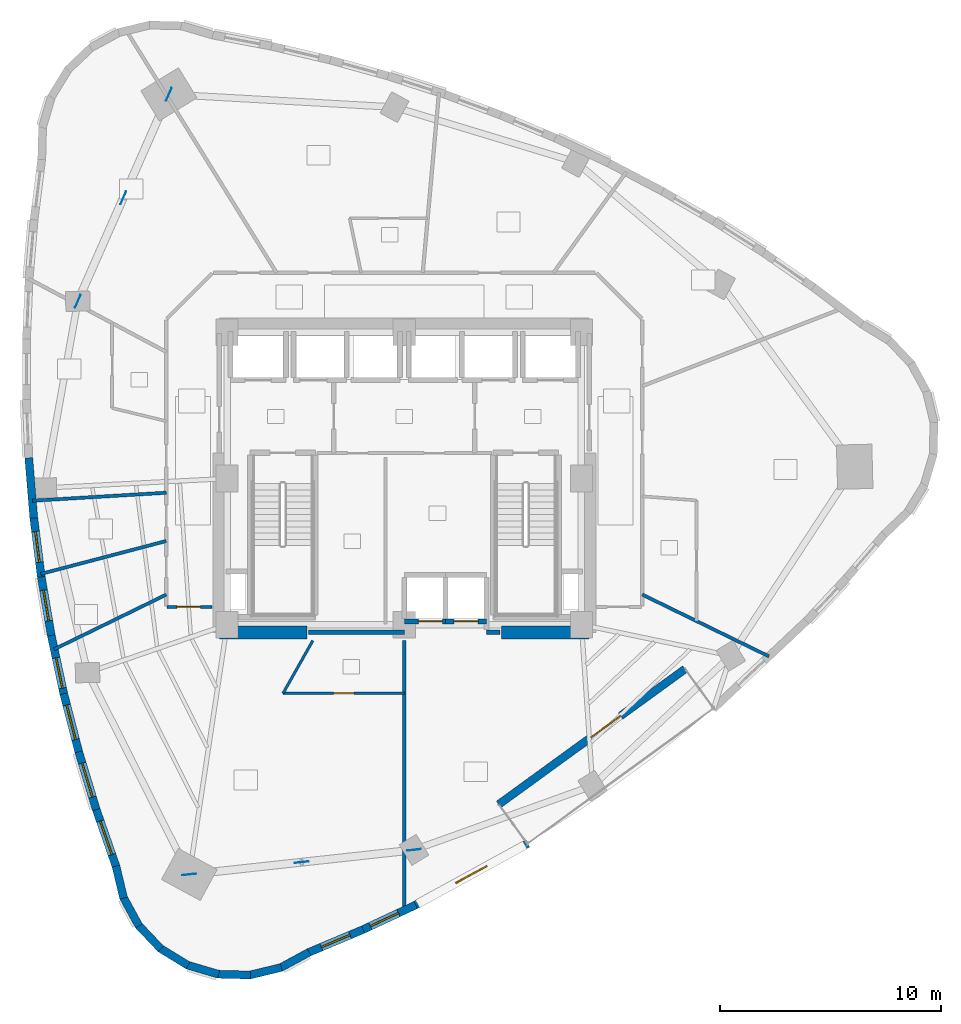
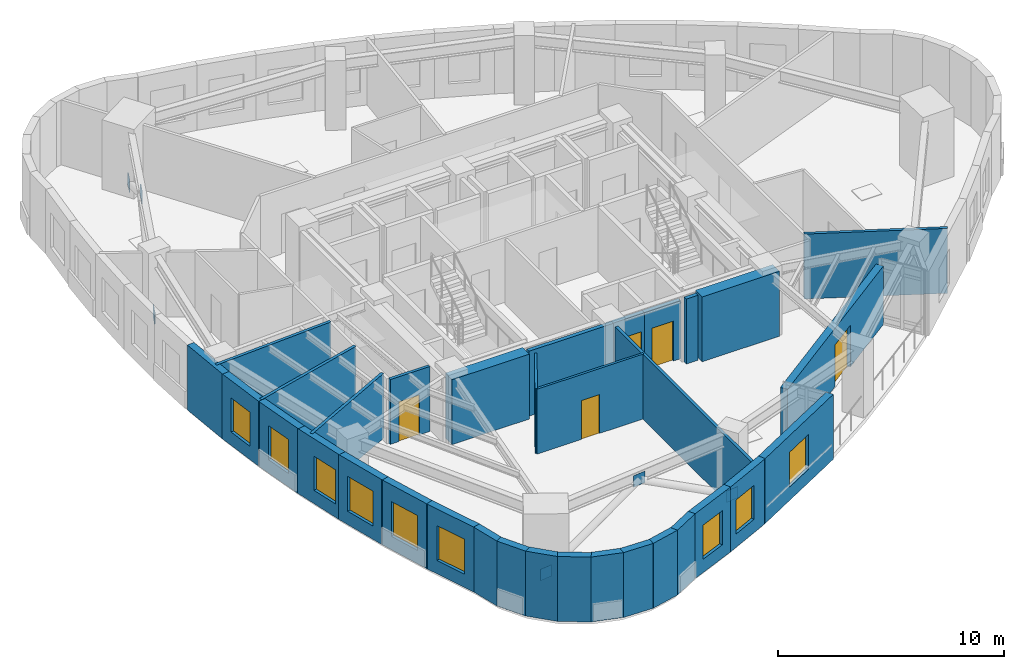
# One storey, part 5 of 12: 33 walls, 9 windows, 6 plates, 5 doors, 14 openings.
"""IFC4 building model written with IfcOpenShell, lengths in metres."""

import ifcopenshell
import ifcopenshell.guid

model = None  # the IFC model being written
_history = None  # IfcOwnerHistory: only IFC2X3 demands one
_inside = {}  # id of a spatial element -> (the spatial element, [elements in it])
_under = {}  # id of a project, library or spatial element -> (it, [spatial elements below it])
_declared = {}  # id of a project -> (the project, [libraries it declares])
_typed = {}  # id of a type object -> (the type object, [elements of that type])
_made_of = {}  # id of a material, layer set ... -> (it, [elements and type objects made of it])


def new_model(schema):
    """Start an empty IFC model of exactly this schema.

    Asked for "IFC4X3", IfcOpenShell would pick the latest addendum, in which some entities
    have other attributes; the version numbers below select the first issue.
    IFC2X3 requires an IfcOwnerHistory on every rooted entity: one is made here for all.
    """
    global model, _history
    if schema == "IFC4X3":
        model = ifcopenshell.file(schema_version=(4, 3, 0, 0))
    else:
        model = ifcopenshell.file(schema=schema)
    _inside.clear()
    _under.clear()
    _declared.clear()
    _typed.clear()
    _made_of.clear()
    _history = None
    if model.schema == "IFC2X3":
        org = make("IfcOrganization", Name="unknown")
        user = make(
            "IfcPersonAndOrganization",
            ThePerson=make("IfcPerson", FamilyName="unknown"),
            TheOrganization=org,
        )
        app = make(
            "IfcApplication",
            ApplicationDeveloper=org,
            Version="unknown",
            ApplicationFullName="unknown",
            ApplicationIdentifier="unknown",
        )
        _history = make(
            "IfcOwnerHistory",
            OwningUser=user,
            OwningApplication=app,
            ChangeAction="ADDED",
            CreationDate=0,
        )
    return model


def make(cls, **values):
    """One entity of the class cls with the attributes given. An attribute that is None is left unset."""
    return model.create_entity(
        cls, **{name: value for name, value in values.items() if value is not None}
    )


def rooted(cls, **values):
    """An entity with a GlobalId (a new one), such as an element, a storey or a relation."""
    return make(cls, GlobalId=ifcopenshell.guid.new(), OwnerHistory=_history, **values)


def si_unit(unit_type, name, prefix=None):
    """IfcSIUnit, for example si_unit("LENGTHUNIT", "METRE", prefix="MILLI")."""
    return make("IfcSIUnit", UnitType=unit_type, Prefix=prefix, Name=name)


def assignment(units):
    """IfcUnitAssignment: the units of a project."""
    return None if units is None else make("IfcUnitAssignment", Units=units)


def point(xyz):
    """IfcCartesianPoint."""
    return None if xyz is None else make("IfcCartesianPoint", Coordinates=xyz)


def direction(xyz):
    """IfcDirection."""
    return None if xyz is None else make("IfcDirection", DirectionRatios=xyz)


def frame(location, z_axis=None, x_axis=None):
    """IfcAxis2Placement3D, a coordinate frame: its origin and axes. An axis left out is left unset."""
    return make(
        "IfcAxis2Placement3D",
        Location=point(location),
        Axis=direction(z_axis),
        RefDirection=direction(x_axis),
    )


def frame_2d(location, x_axis=None):
    """IfcAxis2Placement2D, a coordinate frame in the plane: its origin and x axis."""
    return make(
        "IfcAxis2Placement2D", Location=point(location), RefDirection=direction(x_axis)
    )


def origin():
    """The frame at (0, 0, 0) with its axes left unset."""
    return frame((0.0, 0.0, 0.0))


def origin_2d():
    """The frame at (0, 0) in the plane with its x axis left unset."""
    return frame_2d((0.0, 0.0))


def place(relative_to, where):
    """IfcLocalPlacement: puts the frame where relative to a parent placement (None: the world)."""
    return make(
        "IfcLocalPlacement", PlacementRelTo=relative_to, RelativePlacement=where
    )


def context(
    kind, dimensions, precision=None, world=None, true_north=None, identifier=None
):
    """IfcGeometricRepresentationContext, for example the 3D "Model" context."""
    return make(
        "IfcGeometricRepresentationContext",
        ContextIdentifier=identifier,
        ContextType=kind,
        CoordinateSpaceDimension=dimensions,
        Precision=precision,
        WorldCoordinateSystem=world,
        TrueNorth=true_north,
    )


def subcontext(parent, identifier, kind, view, scale=None):
    """IfcGeometricRepresentationSubContext, for example "Body" below "Model"."""
    return make(
        "IfcGeometricRepresentationSubContext",
        ContextIdentifier=identifier,
        ContextType=kind,
        ParentContext=parent,
        TargetScale=scale,
        TargetView=view,
    )


def project(units=None, contexts=None):
    """IfcProject with its units and contexts."""
    return rooted(
        "IfcProject",
        Name="project",
        RepresentationContexts=contexts,
        UnitsInContext=assignment(units),
    )


def spatial(cls, under=None, at=None, **own):
    """A site, building, storey or space (cls), placed at a placement, below another one or the project."""
    s = rooted(cls, ObjectPlacement=at, **own)
    if under is not None:
        _under.setdefault(under.id(), (under, []))[1].append(s)
    return s


def profile(cls, at=None, kind="AREA", **sizes):
    """A parametric profile (cls). Its sizes go by their IFC names, for example OverallWidth=200.0."""
    return make(cls, ProfileType=kind, Position=at, **sizes)


def rectangle(**sizes):
    """IfcRectangleProfileDef."""
    return profile("IfcRectangleProfileDef", **sizes)


def extrude(swept, where, along, depth):
    """IfcExtrudedAreaSolid: the profile swept, set in the frame where, extruded along a direction by depth."""
    return make(
        "IfcExtrudedAreaSolid",
        SweptArea=swept,
        Position=where,
        ExtrudedDirection=direction(along),
        Depth=depth,
    )


def shape(context_of_items, identifier, shape_type, items):
    """IfcShapeRepresentation: the items that make up one representation, for example the "Body"."""
    return make(
        "IfcShapeRepresentation",
        ContextOfItems=context_of_items,
        RepresentationIdentifier=identifier,
        RepresentationType=shape_type,
        Items=items,
    )


def material(Name=None, Category=None):
    """IfcMaterial."""
    return make("IfcMaterial", Name=Name, Category=Category)


def layer(
    of_material, thickness, ventilated=None, Name=None, Category=None, Priority=None
):
    """IfcMaterialLayer: one layer of a wall or slab, of a material (None: an air gap)."""
    return make(
        "IfcMaterialLayer",
        Material=of_material,
        LayerThickness=thickness,
        IsVentilated=ventilated,
        Name=Name,
        Category=Category,
        Priority=Priority,
    )


def layer_set(layers, Name=None):
    """IfcMaterialLayerSet."""
    return make("IfcMaterialLayerSet", MaterialLayers=layers, LayerSetName=Name)


def made_of(thing, what):
    """Note that an element or type object is made of a material, layer set ...; save() writes the relation."""
    if what is not None:
        _made_of.setdefault(what.id(), (what, []))[1].append(thing)
    return thing


def type_object(cls, material=None, **own):
    """A type object (cls), such as IfcWallType, which elements share."""
    return made_of(rooted(cls, **own), material)


def element(
    cls,
    number,
    at=None,
    inside=None,
    cuts=None,
    type_object=None,
    material=None,
    context=None,
    identifier="Body",
    shape_type=None,
    held_by="IfcProductDefinitionShape",
    body=None,
    shapes=None,
    **own,
):
    """One element of the class cls, such as IfcWall. Its Tag is "e" and its number.

    at: its placement. inside: the storey or other place that contains it. cuts: it is an
    opening in that element (IfcRelVoidsElement). A single representation is given by context,
    identifier, shape_type and body (its items); several are given by shapes. held_by: the class
    of the entity that holds the representations. save() writes the other relations.
    """
    e = rooted(cls, Tag="e%d" % number, ObjectPlacement=at, **own)
    if body is not None:
        shapes = [shape(context, identifier, shape_type, body)]
    if shapes is not None:
        e.Representation = make(held_by, Representations=shapes)
    if inside is not None:
        _inside.setdefault(inside.id(), (inside, []))[1].append(e)
    if cuts is not None:
        rooted(
            "IfcRelVoidsElement", RelatingBuildingElement=cuts, RelatedOpeningElement=e
        )
    if type_object is not None:
        _typed.setdefault(type_object.id(), (type_object, []))[1].append(e)
    return made_of(e, material)


def fill(opening, filler):
    """IfcRelFillsElement: the door or window that sits in an opening."""
    return rooted(
        "IfcRelFillsElement",
        RelatingOpeningElement=opening,
        RelatedBuildingElement=filler,
    )


def aggregate(whole, parts):
    """IfcRelAggregates: a whole, such as a stair, and the parts it consists of."""
    return rooted("IfcRelAggregates", RelatingObject=whole, RelatedObjects=parts)


def save(model, path):
    """Write the relations noted so far, then the file.

    IfcRelAggregates (storeys below a building ...), IfcRelContainedInSpatialStructure (elements
    in a storey), IfcRelDefinesByType, IfcRelAssociatesMaterial and IfcRelDeclares: one each for
    every whole, place, type object, material and project.
    """
    for whole, parts in _under.values():
        aggregate(whole, parts)
    for where, things in _inside.values():
        rooted(
            "IfcRelContainedInSpatialStructure",
            RelatedElements=things,
            RelatingStructure=where,
        )
    for kind, things in _typed.values():
        rooted("IfcRelDefinesByType", RelatedObjects=things, RelatingType=kind)
    for what, things in _made_of.values():
        rooted("IfcRelAssociatesMaterial", RelatedObjects=things, RelatingMaterial=what)
    for by, libraries in _declared.values():
        rooted("IfcRelDeclares", RelatingContext=by, RelatedDefinitions=libraries)
    model.write(path)


model = new_model("IFC4")

# Units and contexts
model_context = context("Model", 3, precision=1e-05, world=origin(), true_north=direction((0.0, 1.0)))
body_context = subcontext(model_context, "Body", "Model", "MODEL_VIEW")
ifc_project = project(units=[si_unit("LENGTHUNIT", "METRE"), si_unit("AREAUNIT", "SQUARE_METRE"), si_unit("VOLUMEUNIT", "CUBIC_METRE"), si_unit("PLANEANGLEUNIT", "RADIAN"), si_unit("MASSUNIT", "GRAM", prefix="KILO")], contexts=[model_context])

# Site, building, storey
site_placement = place(None, origin())
site = spatial("IfcSite", under=ifc_project, at=site_placement, CompositionType="ELEMENT")
building_placement = place(site_placement, origin())
building = spatial("IfcBuilding", under=site, at=building_placement, Name="Ndelora Gate Hotel", CompositionType="ELEMENT")
storey_placement = place(building_placement, frame((0.0, 0.0, 142.25)))
storey = spatial("IfcBuildingStorey", under=building, at=storey_placement, Name="L35", CompositionType="ELEMENT", Elevation=142.25)

# Plates
ifc_material_1 = material(Name="Steel S355", Category="steel")
ifc_layer_1 = layer(ifc_material_1, 0.02001953125)
ifc_layer_set_1 = layer_set([ifc_layer_1], Name="Steel S355")
plate_type = type_object("IfcPlateType", Name="PL-NODE-VN1", PredefinedType="USERDEFINED", material=ifc_layer_set_1)
for number, where, z_axis, x_axis, name in (
    (1, (-10.63330078125, 17.351806640625, -0.2900390625), (0.0, 0.0, 1.0), (0.402906435714, 0.915241172621, 0.0), "Node gusset cap plate VN1"),
    (2, (-14.74658203125, 8.006591796875, -0.2900390625), (0.0, 0.0, 1.0), (0.402906435714, 0.915241172621, 0.0), "Node gusset cap plate VN1"),
    (3, (-12.68994140625, 12.67919921875, 2.639892578125), (0.0, 0.0, 1.0), (0.402906435714, 0.915241172621, 0.0), "Node gusset cap plate VN1"),
    (4, (-9.71044921875, -17.884521484375, -0.2900390625), (0.0, 0.0, 1.0), (0.994075323936, 0.108693377634, 0.0), "Node gusset cap plate VN1"),
    (5, (0.439208984375, -16.7744140625, -0.2900390625), (0.0, 0.0, 1.0), (0.994075323936, 0.108693377634, 0.0), "Node gusset cap plate VN1"),
    (6, (-4.6357421875, -17.32958984375, 2.639892578125), (0.0, 0.0, 1.0), (0.994075323936, 0.108693377634, 0.0), "Node gusset cap plate VN1"),
):
    element("IfcPlate", number, at=place(storey_placement, frame(where, z_axis=z_axis, x_axis=x_axis)), inside=storey, type_object=plate_type, Name=name, ObjectType="GUSSET_PLATE", PredefinedType="USERDEFINED", context=body_context, shape_type="SweptSolid", body=[
        extrude(rectangle(XDim=0.6201171875, YDim=0.02001953125, at=origin_2d()), origin(), (0.0, 0.0, 1.0), 0.6201171875),
    ])

# Wall, opening, door
ifc_material_2 = material(Name="Clay Brick Masonry", Category="masonry")
ifc_layer_2 = layer(ifc_material_2, 0.360107421875)
ifc_layer_set_2 = layer_set([ifc_layer_2], Name="Clay Brick Masonry")
wall_type_1 = type_object("IfcWallType", Name="WL-BRICK-360", PredefinedType="SOLIDWALL", material=ifc_layer_set_2)
wall_1_placement = place(storey_placement, frame((12.68017578125, -8.60595703125, 0.0), z_axis=(0.0, 0.0, 1.0), x_axis=(-0.809015154073, -0.587787785243, 0.0)))
wall_1 = element("IfcWall", 7, at=wall_1_placement, inside=storey, type_object=wall_type_1, Name="L35 Sky-Garden Loggia Rear Brick Wall", PredefinedType="SOLIDWALL", context=body_context, shape_type="SweptSolid", body=[
    extrude(rectangle(XDim=10.400146484375, YDim=0.360107421875, at=frame_2d((5.2001953125, 0.0))), origin(), (0.0, 0.0, 1.0), 3.14990234375),
])
opening_1_placement = place(wall_1_placement, frame((3.60009765625, 0.0, 0.0)))
opening_1 = element("IfcOpeningElement", 8, at=opening_1_placement, cuts=wall_1, Name="Opening TD1", PredefinedType="OPENING", context=body_context, shape_type="SweptSolid", body=[
    extrude(rectangle(XDim=1.64990234375, YDim=2.25, at=frame_2d((0.824951171875, 1.125))), frame((0.0, 0.18994140625, 0.0), z_axis=(0.0, -1.0, 0.0), x_axis=(1.0, 0.0, 0.0)), (0.0, 0.0, 1.0), 0.380126953125),
])
ifc_material_3 = material(Name="Architectural Bronze Glazed Door", Category="metal")
door_type_1 = type_object("IfcDoorType", Name="DR-TER-1650", OperationType="DOUBLE_DOOR_SINGLE_SWING", PredefinedType="DOOR", material=ifc_material_3)
door_1_placement = place(opening_1_placement, origin())
door_1 = element("IfcDoor", 9, at=door_1_placement, inside=storey, type_object=door_type_1, Name="L35 Sky-Garden Terrace Double Door TD1", OperationType="DOUBLE_DOOR_SINGLE_SWING", OverallHeight=2.25, OverallWidth=1.64990234375, PredefinedType="DOOR", context=body_context, shape_type="SweptSolid", body=[
    extrude(rectangle(XDim=1.64990234375, YDim=2.25, at=frame_2d((0.824951171875, 1.125))), frame((0.0, 0.02490234375, 0.0), z_axis=(0.0, -1.0, 0.0), x_axis=(1.0, 0.0, 0.0)), (0.0, 0.0, 1.0), 0.050048828125),
])
fill(opening_1, door_1)

# Wall
wall_2_placement = place(storey_placement, frame((-16.73583984375, -1.7841796875, 0.0), z_axis=(0.0, 0.0, 1.0), x_axis=(-0.083363780418, 0.99651918201, 0.0)))
element("IfcWall", 10, at=wall_2_placement, inside=storey, type_object=wall_type_1, Name="L35 Tower Brick Pier-and-Spandrel Wall TWR-14", PredefinedType="SOLIDWALL", context=body_context, shape_type="SweptSolid", body=[
    extrude(rectangle(XDim=2.7294921875, YDim=0.360107421875, at=frame_2d((1.36474609375, 0.0))), origin(), (0.0, 0.0, 1.0), 3.5),
])

# Wall, opening, window
wall_3_placement = place(storey_placement, frame((-16.398193359375, -4.4423828125, 0.0), z_axis=(0.0, 0.0, 1.0), x_axis=(-0.125663758649, 0.992072890347, 0.0)))
wall_3 = element("IfcWall", 11, at=wall_3_placement, inside=storey, type_object=wall_type_1, Name="L35 Tower Brick Pier-and-Spandrel Wall TWR-15", PredefinedType="SOLIDWALL", context=body_context, shape_type="SweptSolid", body=[
    extrude(rectangle(XDim=2.729736328125, YDim=0.360107421875, at=frame_2d((1.36474609375, 0.0))), origin(), (0.0, 0.0, 1.0), 3.5),
])
opening_2_placement = place(wall_3_placement, frame((0.664794921875, 0.0, 0.719970703125)))
opening_2 = element("IfcOpeningElement", 12, at=opening_2_placement, cuts=wall_3, Name="Opening W02", PredefinedType="OPENING", context=body_context, shape_type="SweptSolid", body=[
    extrude(rectangle(XDim=1.39990234375, YDim=1.840087890625, at=frame_2d((0.699951171875, 0.919921875))), frame((0.0, 0.18994140625, 0.0), z_axis=(0.0, -1.0, 0.0), x_axis=(1.0, 0.0, 0.0)), (0.0, 0.0, 1.0), 0.380126953125),
])
ifc_material_4 = material(Name="Insulated Low-E Double Glazing in Bronze Aluminium Frame", Category="aluminium")
window_type_1 = type_object("IfcWindowType", Name="WN-DEEP-1400", PartitioningType="SINGLE_PANEL", PredefinedType="WINDOW", material=ifc_material_4)
window_1_placement = place(opening_2_placement, origin())
window_1 = element("IfcWindow", 13, at=window_1_placement, inside=storey, type_object=window_type_1, Name="L35 Deep-Set Brick-Pier Window W02", OverallHeight=1.840087890625, OverallWidth=1.39990234375, PartitioningType="SINGLE_PANEL", PredefinedType="WINDOW", context=body_context, shape_type="SweptSolid", body=[
    extrude(rectangle(XDim=1.39990234375, YDim=1.840087890625, at=frame_2d((0.699951171875, 0.919921875))), frame((0.0, 0.030029296875, 0.0), z_axis=(0.0, -1.0, 0.0), x_axis=(1.0, 0.0, 0.0)), (0.0, 0.0, 1.0), 0.06005859375),
])
fill(opening_2, window_1)

wall_4_placement = place(storey_placement, frame((-15.947265625, -7.088623046875, 0.0), z_axis=(0.0, 0.0, 1.0), x_axis=(-0.167598097405, 0.985855404076, 0.0)))
wall_4 = element("IfcWall", 14, at=wall_4_placement, inside=storey, type_object=wall_type_1, Name="L35 Tower Brick Pier-and-Spandrel Wall TWR-16", PredefinedType="SOLIDWALL", context=body_context, shape_type="SweptSolid", body=[
    extrude(rectangle(XDim=2.734130859375, YDim=0.360107421875, at=frame_2d((1.3671875, 0.0))), origin(), (0.0, 0.0, 1.0), 3.5),
])
opening_3_placement = place(wall_4_placement, frame((0.667236328125, 0.0, 0.719970703125)))
opening_3 = element("IfcOpeningElement", 15, at=opening_3_placement, cuts=wall_4, Name="Opening W02", PredefinedType="OPENING", context=body_context, shape_type="SweptSolid", body=[
    extrude(rectangle(XDim=1.39990234375, YDim=1.840087890625, at=frame_2d((0.699951171875, 0.919921875))), frame((0.0, 0.18994140625, 0.0), z_axis=(0.0, -1.0, 0.0), x_axis=(1.0, 0.0, 0.0)), (0.0, 0.0, 1.0), 0.380126953125),
])
window_2_placement = place(opening_3_placement, origin())
window_2 = element("IfcWindow", 16, at=window_2_placement, inside=storey, type_object=window_type_1, Name="L35 Deep-Set Brick-Pier Window W02", OverallHeight=1.840087890625, OverallWidth=1.39990234375, PartitioningType="SINGLE_PANEL", PredefinedType="WINDOW", context=body_context, shape_type="SweptSolid", body=[
    extrude(rectangle(XDim=1.39990234375, YDim=1.840087890625, at=frame_2d((0.699951171875, 0.919921875))), frame((0.0, 0.030029296875, 0.0), z_axis=(0.0, -1.0, 0.0), x_axis=(1.0, 0.0, 0.0)), (0.0, 0.0, 1.0), 0.06005859375),
])
fill(opening_3, window_2)

wall_5_placement = place(storey_placement, frame((-15.383056640625, -9.722900390625, 0.0), z_axis=(0.0, 0.0, 1.0), x_axis=(-0.209000421091, 0.977915550538, 0.0)))
wall_5 = element("IfcWall", 17, at=wall_5_placement, inside=storey, type_object=wall_type_1, Name="L35 Tower Brick Pier-and-Spandrel Wall TWR-17", PredefinedType="SOLIDWALL", context=body_context, shape_type="SweptSolid", body=[
    extrude(rectangle(XDim=2.743896484375, YDim=0.360107421875, at=frame_2d((1.3720703125, 0.0))), origin(), (0.0, 0.0, 1.0), 3.5),
])
opening_4_placement = place(wall_5_placement, frame((0.260009765625, 0.0, 0.719970703125)))
opening_4 = element("IfcOpeningElement", 18, at=opening_4_placement, cuts=wall_5, Name="Opening W02", PredefinedType="OPENING", context=body_context, shape_type="SweptSolid", body=[
    extrude(rectangle(XDim=1.39990234375, YDim=1.840087890625, at=frame_2d((0.699951171875, 0.919921875))), frame((0.0, 0.18994140625, 0.0), z_axis=(0.0, -1.0, 0.0), x_axis=(1.0, 0.0, 0.0)), (0.0, 0.0, 1.0), 0.380126953125),
])
window_3_placement = place(opening_4_placement, origin())
window_3 = element("IfcWindow", 19, at=window_3_placement, inside=storey, type_object=window_type_1, Name="L35 Deep-Set Brick-Pier Window W02", OverallHeight=1.840087890625, OverallWidth=1.39990234375, PartitioningType="SINGLE_PANEL", PredefinedType="WINDOW", context=body_context, shape_type="SweptSolid", body=[
    extrude(rectangle(XDim=1.39990234375, YDim=1.840087890625, at=frame_2d((0.699951171875, 0.919921875))), frame((0.0, 0.030029296875, 0.0), z_axis=(0.0, -1.0, 0.0), x_axis=(1.0, 0.0, 0.0)), (0.0, 0.0, 1.0), 0.06005859375),
])
fill(opening_4, window_3)

wall_6_placement = place(storey_placement, frame((-14.70556640625, -12.34521484375, 0.0), z_axis=(0.0, 0.0, 1.0), x_axis=(-0.249693304339, 0.968324973224, 0.0)))
wall_6 = element("IfcWall", 20, at=wall_6_placement, inside=storey, type_object=wall_type_1, Name="L35 Tower Brick Pier-and-Spandrel Wall TWR-18", PredefinedType="SOLIDWALL", context=body_context, shape_type="SweptSolid", body=[
    extrude(rectangle(XDim=2.75830078125, YDim=0.360107421875, at=frame_2d((1.379150390625, 0.0))), origin(), (0.0, 0.0, 1.0), 3.5),
])
opening_5_placement = place(wall_6_placement, frame((0.5791015625, 0.0, 0.719970703125)))
opening_5 = element("IfcOpeningElement", 21, at=opening_5_placement, cuts=wall_6, Name="Opening W01", PredefinedType="OPENING", context=body_context, shape_type="SweptSolid", body=[
    extrude(rectangle(XDim=1.60009765625, YDim=1.8798828125, at=frame_2d((0.800048828125, 0.93994140625))), frame((0.0, 0.18994140625, 0.0), z_axis=(0.0, -1.0, 0.0), x_axis=(1.0, 0.0, 0.0)), (0.0, 0.0, 1.0), 0.380126953125),
])
window_type_2 = type_object("IfcWindowType", Name="WN-DEEP-1600", PartitioningType="SINGLE_PANEL", PredefinedType="WINDOW", material=ifc_material_4)
window_4_placement = place(opening_5_placement, origin())
window_4 = element("IfcWindow", 22, at=window_4_placement, inside=storey, type_object=window_type_2, Name="L35 Deep-Set Brick-Pier Window W01", OverallHeight=1.8798828125, OverallWidth=1.60009765625, PartitioningType="SINGLE_PANEL", PredefinedType="WINDOW", context=body_context, shape_type="SweptSolid", body=[
    extrude(rectangle(XDim=1.60009765625, YDim=1.8798828125, at=frame_2d((0.800048828125, 0.93994140625))), frame((0.0, 0.030029296875, 0.0), z_axis=(0.0, -1.0, 0.0), x_axis=(1.0, 0.0, 0.0)), (0.0, 0.0, 1.0), 0.06005859375),
])
fill(opening_5, window_4)

wall_7_placement = place(storey_placement, frame((-13.914794921875, -14.955810546875, 0.0), z_axis=(0.0, 0.0, 1.0), x_axis=(-0.289524345403, 0.957170650103, 0.0)))
wall_7 = element("IfcWall", 23, at=wall_7_placement, inside=storey, type_object=wall_type_1, Name="L35 Tower Brick Pier-and-Spandrel Wall TWR-19", PredefinedType="SOLIDWALL", context=body_context, shape_type="SweptSolid", body=[
    extrude(rectangle(XDim=2.777587890625, YDim=0.360107421875, at=frame_2d((1.388671875, 0.0))), origin(), (0.0, 0.0, 1.0), 3.5),
])
opening_6_placement = place(wall_7_placement, frame((0.5888671875, 0.0, 0.719970703125)))
opening_6 = element("IfcOpeningElement", 24, at=opening_6_placement, cuts=wall_7, Name="Opening W01", PredefinedType="OPENING", context=body_context, shape_type="SweptSolid", body=[
    extrude(rectangle(XDim=1.60009765625, YDim=1.8798828125, at=frame_2d((0.800048828125, 0.93994140625))), frame((0.0, 0.18994140625, 0.0), z_axis=(0.0, -1.0, 0.0), x_axis=(1.0, 0.0, 0.0)), (0.0, 0.0, 1.0), 0.380126953125),
])
window_5_placement = place(opening_6_placement, origin())
window_5 = element("IfcWindow", 25, at=window_5_placement, inside=storey, type_object=window_type_2, Name="L35 Deep-Set Brick-Pier Window W01", OverallHeight=1.8798828125, OverallWidth=1.60009765625, PartitioningType="SINGLE_PANEL", PredefinedType="WINDOW", context=body_context, shape_type="SweptSolid", body=[
    extrude(rectangle(XDim=1.60009765625, YDim=1.8798828125, at=frame_2d((0.800048828125, 0.93994140625))), frame((0.0, 0.030029296875, 0.0), z_axis=(0.0, -1.0, 0.0), x_axis=(1.0, 0.0, 0.0)), (0.0, 0.0, 1.0), 0.06005859375),
])
fill(opening_6, window_5)

wall_8_placement = place(storey_placement, frame((-13.0107421875, -17.55419921875, 0.0), z_axis=(0.0, 0.0, 1.0), x_axis=(-0.328229893061, 0.944597870684, 0.0)))
wall_8 = element("IfcWall", 26, at=wall_8_placement, inside=storey, type_object=wall_type_1, Name="L35 Tower Brick Pier-and-Spandrel Wall TWR-20", PredefinedType="SOLIDWALL", context=body_context, shape_type="SweptSolid", body=[
    extrude(rectangle(XDim=2.80126953125, YDim=0.360107421875, at=frame_2d((1.400634765625, 0.0))), origin(), (0.0, 0.0, 1.0), 3.5),
])
opening_7_placement = place(wall_8_placement, frame((0.6005859375, 0.0, 0.719970703125)))
opening_7 = element("IfcOpeningElement", 27, at=opening_7_placement, cuts=wall_8, Name="Opening W01", PredefinedType="OPENING", context=body_context, shape_type="SweptSolid", body=[
    extrude(rectangle(XDim=1.60009765625, YDim=1.8798828125, at=frame_2d((0.800048828125, 0.93994140625))), frame((0.0, 0.18994140625, 0.0), z_axis=(0.0, -1.0, 0.0), x_axis=(1.0, 0.0, 0.0)), (0.0, 0.0, 1.0), 0.380126953125),
])
window_6_placement = place(opening_7_placement, origin())
window_6 = element("IfcWindow", 28, at=window_6_placement, inside=storey, type_object=window_type_2, Name="L35 Deep-Set Brick-Pier Window W01", OverallHeight=1.8798828125, OverallWidth=1.60009765625, PartitioningType="SINGLE_PANEL", PredefinedType="WINDOW", context=body_context, shape_type="SweptSolid", body=[
    extrude(rectangle(XDim=1.60009765625, YDim=1.8798828125, at=frame_2d((0.800048828125, 0.93994140625))), frame((0.0, 0.030029296875, 0.0), z_axis=(0.0, -1.0, 0.0), x_axis=(1.0, 0.0, 0.0)), (0.0, 0.0, 1.0), 0.06005859375),
])
fill(opening_7, window_6)

# Walls
wall_9_placement = place(storey_placement, frame((-12.677978515625, -18.950927734375, 0.0), z_axis=(0.0, 0.0, 1.0), x_axis=(-0.23351590147, 0.972352983109, 0.0)))
element("IfcWall", 29, at=wall_9_placement, inside=storey, type_object=wall_type_1, Name="L35 Tower Brick Pier-and-Spandrel Wall TWR-21", PredefinedType="SOLIDWALL", context=body_context, shape_type="SweptSolid", body=[
    extrude(rectangle(XDim=1.485595703125, YDim=0.360107421875, at=frame_2d((0.74267578125, 0.0))), origin(), (0.0, 0.0, 1.0), 3.5),
])
for number, where, z_axis, x_axis, name in (
    (30, (-11.98681640625, -20.21044921875, 0.0), (0.0, 0.0, 1.0), (-0.477193395873, 0.878798306174, 0.0), "L35 Tower Brick Pier-and-Spandrel Wall TWR-22"),
    (31, (-10.9931640625, -21.248046875, 0.0), (0.0, 0.0, 1.0), (-0.688464400899, 0.725270134981, 0.0), "L35 Tower Brick Pier-and-Spandrel Wall TWR-23"),
    (32, (-9.764892578125, -21.993408203125, 0.0), (0.0, 0.0, 1.0), (-0.852554021927, 0.522639110378, 0.0), "L35 Tower Brick Pier-and-Spandrel Wall TWR-24"),
    (33, (-8.385498046875, -22.39501953125, 0.0), (0.0, 0.0, 1.0), (-0.958851135896, 0.283909315084, 0.0), "L35 Tower Brick Pier-and-Spandrel Wall TWR-25"),
    (34, (-6.94921875, -22.42626953125, 0.0), (0.0, 0.0, 1.0), (-0.999654374037, 0.026289398397, 0.0), "L35 Tower Brick Pier-and-Spandrel Wall TWR-26"),
    (35, (-5.5537109375, -22.084716796875, 0.0), (0.0, 0.0, 1.0), (-0.972399232605, -0.233323235941, 0.0), "L35 Tower Brick Pier-and-Spandrel Wall TWR-27"),
    (36, (-4.294189453125, -21.393310546875, 0.0), (0.0, 0.0, 1.0), (-0.878835716595, -0.477124494484, 0.0), "L35 Tower Brick Pier-and-Spandrel Wall TWR-28"),
):
    element("IfcWall", number, at=place(storey_placement, frame(where, z_axis=z_axis, x_axis=x_axis)), inside=storey, type_object=wall_type_1, Name=name, PredefinedType="SOLIDWALL", context=body_context, shape_type="SweptSolid", body=[
        extrude(rectangle(XDim=1.48583984375, YDim=0.360107421875, at=frame_2d((0.742919921875, 0.0))), origin(), (0.0, 0.0, 1.0), 3.5),
    ])

# Wall, opening, window
wall_10_placement = place(storey_placement, frame((-1.85791015625, -20.372314453125, 0.0), z_axis=(0.0, 0.0, 1.0), x_axis=(-0.921913438733, -0.387395936327, 0.0)))
wall_10 = element("IfcWall", 37, at=wall_10_placement, inside=storey, type_object=wall_type_1, Name="L35 Tower Brick Pier-and-Spandrel Wall TWR-29", PredefinedType="SOLIDWALL", context=body_context, shape_type="SweptSolid", body=[
    extrude(rectangle(XDim=2.691650390625, YDim=0.360107421875, at=frame_2d((1.345703125, 0.0))), origin(), (0.0, 0.0, 1.0), 3.5),
])
opening_8_placement = place(wall_10_placement, frame((0.645751953125, 0.0, 0.719970703125)))
opening_8 = element("IfcOpeningElement", 38, at=opening_8_placement, cuts=wall_10, Name="Opening W02", PredefinedType="OPENING", context=body_context, shape_type="SweptSolid", body=[
    extrude(rectangle(XDim=1.39990234375, YDim=1.840087890625, at=frame_2d((0.699951171875, 0.919921875))), frame((0.0, 0.18994140625, 0.0), z_axis=(0.0, -1.0, 0.0), x_axis=(1.0, 0.0, 0.0)), (0.0, 0.0, 1.0), 0.380126953125),
])
window_7_placement = place(opening_8_placement, origin())
window_7 = element("IfcWindow", 39, at=window_7_placement, inside=storey, type_object=window_type_1, Name="L35 Deep-Set Brick-Pier Window W02", OverallHeight=1.840087890625, OverallWidth=1.39990234375, PartitioningType="SINGLE_PANEL", PredefinedType="WINDOW", context=body_context, shape_type="SweptSolid", body=[
    extrude(rectangle(XDim=1.39990234375, YDim=1.840087890625, at=frame_2d((0.699951171875, 0.919921875))), frame((0.0, 0.030029296875, 0.0), z_axis=(0.0, -1.0, 0.0), x_axis=(1.0, 0.0, 0.0)), (0.0, 0.0, 1.0), 0.06005859375),
])
fill(opening_8, window_7)

wall_11_placement = place(storey_placement, frame((0.515380859375, -19.262939453125, 0.0), z_axis=(0.0, 0.0, 1.0), x_axis=(-0.906085000499, -0.423095700606, 0.0)))
wall_11 = element("IfcWall", 40, at=wall_11_placement, inside=storey, type_object=wall_type_1, Name="L35 Tower Brick Pier-and-Spandrel Wall TWR-30", PredefinedType="SOLIDWALL", context=body_context, shape_type="SweptSolid", body=[
    extrude(rectangle(XDim=2.669921875, YDim=0.360107421875, at=frame_2d((1.3349609375, 0.0))), origin(), (0.0, 0.0, 1.0), 3.5),
])
opening_9_placement = place(wall_11_placement, frame((0.860107421875, 0.0, 0.719970703125)))
opening_9 = element("IfcOpeningElement", 41, at=opening_9_placement, cuts=wall_11, Name="Opening W02", PredefinedType="OPENING", context=body_context, shape_type="SweptSolid", body=[
    extrude(rectangle(XDim=1.39990234375, YDim=1.840087890625, at=frame_2d((0.699951171875, 0.919921875))), frame((0.0, 0.18994140625, 0.0), z_axis=(0.0, -1.0, 0.0), x_axis=(1.0, 0.0, 0.0)), (0.0, 0.0, 1.0), 0.380126953125),
])
window_8_placement = place(opening_9_placement, origin())
window_8 = element("IfcWindow", 42, at=window_8_placement, inside=storey, type_object=window_type_1, Name="L35 Deep-Set Brick-Pier Window W02", OverallHeight=1.840087890625, OverallWidth=1.39990234375, PartitioningType="SINGLE_PANEL", PredefinedType="WINDOW", context=body_context, shape_type="SweptSolid", body=[
    extrude(rectangle(XDim=1.39990234375, YDim=1.840087890625, at=frame_2d((0.699951171875, 0.919921875))), frame((0.0, 0.030029296875, 0.0), z_axis=(0.0, -1.0, 0.0), x_axis=(1.0, 0.0, 0.0)), (0.0, 0.0, 1.0), 0.06005859375),
])
fill(opening_9, window_8)

wall_12_placement = place(storey_placement, frame((5.581298828125, -16.48681640625, 0.0), z_axis=(0.0, 0.0, 1.0), x_axis=(-0.877084079585, -0.480336879012, 0.0)))
wall_12 = element("IfcWall", 43, at=wall_12_placement, inside=storey, type_object=wall_type_1, Name="L35 Tower Brick Pier-and-Spandrel Wall TWR-31", PredefinedType="SOLIDWALL", context=body_context, shape_type="SweptSolid", body=[
    extrude(rectangle(XDim=5.826904296875, YDim=0.360107421875, at=frame_2d((2.91357421875, 0.0))), origin(), (0.0, 0.0, 1.0), 3.5),
])
opening_10_placement = place(wall_12_placement, frame((2.11328125, 0.0, 0.719970703125)))
opening_10 = element("IfcOpeningElement", 44, at=opening_10_placement, cuts=wall_12, Name="Opening W01", PredefinedType="OPENING", context=body_context, shape_type="SweptSolid", body=[
    extrude(rectangle(XDim=1.60009765625, YDim=1.8798828125, at=frame_2d((0.800048828125, 0.93994140625))), frame((0.0, 0.18994140625, 0.0), z_axis=(0.0, -1.0, 0.0), x_axis=(1.0, 0.0, 0.0)), (0.0, 0.0, 1.0), 0.380126953125),
])
window_9_placement = place(opening_10_placement, origin())
window_9 = element("IfcWindow", 45, at=window_9_placement, inside=storey, type_object=window_type_2, Name="L35 Deep-Set Brick-Pier Window W01", OverallHeight=1.8798828125, OverallWidth=1.60009765625, PartitioningType="SINGLE_PANEL", PredefinedType="WINDOW", context=body_context, shape_type="SweptSolid", body=[
    extrude(rectangle(XDim=1.60009765625, YDim=1.8798828125, at=frame_2d((0.800048828125, 0.93994140625))), frame((0.0, 0.030029296875, 0.0), z_axis=(0.0, -1.0, 0.0), x_axis=(1.0, 0.0, 0.0)), (0.0, 0.0, 1.0), 0.06005859375),
])
fill(opening_10, window_9)

# Walls
ifc_material_5 = material(Name="Concrete C60/75", Category="concrete")
ifc_layer_3 = layer(ifc_material_5, 0.60009765625)
ifc_layer_set_3 = layer_set([ifc_layer_3], Name="Concrete C60/75")
wall_type_2 = type_object("IfcWallType", Name="WL-CORE-600", PredefinedType="SHEAR", material=ifc_layer_set_3)
for number, where, z_axis, x_axis, name in (
    (46, (-8.35009765625, -6.949951171875, 0.0), (0.0, 0.0, 1.0), (1.0, 0.0, 0.0), "L35 Core Shear Wall S-W"),
    (47, (4.39990234375, -6.949951171875, 0.0), (0.0, 0.0, 1.0), (1.0, 0.0, 0.0), "L35 Core Shear Wall S-E"),
):
    element("IfcWall", number, at=place(storey_placement, frame(where, z_axis=z_axis, x_axis=x_axis)), inside=storey, type_object=wall_type_2, Name=name, PredefinedType="SHEAR", context=body_context, shape_type="SweptSolid", body=[
        extrude(rectangle(XDim=3.9501953125, YDim=0.60009765625, at=frame_2d((1.97509765625, 0.0))), origin(), (0.0, 0.0, 1.0), 3.5),
    ])
ifc_material_6 = material(Name="Concrete C40/50", Category="concrete")
ifc_layer_4 = layer(ifc_material_6, 0.199951171875)
ifc_layer_set_4 = layer_set([ifc_layer_4], Name="Concrete C40/50")
wall_type_3 = type_object("IfcWallType", Name="WL-FIRE-200", PredefinedType="PARTITIONING", material=ifc_layer_set_4)
wall_13_placement = place(storey_placement, frame((-4.320068359375, -6.949951171875, 0.0), z_axis=(0.0, 0.0, 1.0), x_axis=(1.0, 0.0, 0.0)))
element("IfcWall", 48, at=wall_13_placement, inside=storey, type_object=wall_type_3, Name="L35 Interior Wall IW-2", PredefinedType="PARTITIONING", context=body_context, shape_type="SweptSolid", body=[
    extrude(rectangle(XDim=4.320068359375, YDim=0.199951171875, at=frame_2d((2.16015625, 0.0))), origin(), (0.0, 0.0, 1.0), 3.5),
])
wall_14_placement = place(storey_placement, frame((3.719970703125, -6.949951171875, 0.0), z_axis=(0.0, 0.0, 1.0), x_axis=(1.0, 0.0, 0.0)))
element("IfcWall", 49, at=wall_14_placement, inside=storey, type_object=wall_type_3, Name="L35 Interior Wall IW-2", PredefinedType="PARTITIONING", context=body_context, shape_type="SweptSolid", body=[
    extrude(rectangle(XDim=0.60009765625, YDim=0.199951171875, at=frame_2d((0.300048828125, 0.0))), origin(), (0.0, 0.0, 1.0), 3.5),
])

# Wall, opening, door
ifc_material_7 = material(Name="Fire-Rated Gypsum Stud Partition", Category="gypsum")
ifc_layer_5 = layer(ifc_material_7, 0.14990234375)
ifc_layer_set_5 = layer_set([ifc_layer_5], Name="Fire-Rated Gypsum Stud Partition")
wall_type_4 = type_object("IfcWallType", Name="WL-PART-150", PredefinedType="PARTITIONING", material=ifc_layer_set_5)
wall_15_placement = place(storey_placement, frame((-8.68994140625, -5.800048828125, 0.0), z_axis=(0.0, 0.0, 1.0), x_axis=(-1.0, 0.0, 0.0)))
wall_15 = element("IfcWall", 50, at=wall_15_placement, inside=storey, type_object=wall_type_4, Name="L35 Interior Wall IW-5", PredefinedType="PARTITIONING", context=body_context, shape_type="SweptSolid", body=[
    extrude(rectangle(XDim=2.02001953125, YDim=0.14990234375, at=frame_2d((1.010009765625, 0.0))), origin(), (0.0, 0.0, 1.0), 3.5),
])
opening_11_placement = place(wall_15_placement, frame((0.52001953125, 0.0, 0.0)))
opening_11 = element("IfcOpeningElement", 51, at=opening_11_placement, cuts=wall_15, Name="Opening D07", PredefinedType="OPENING", context=body_context, shape_type="SweptSolid", body=[
    extrude(rectangle(XDim=1.06005859375, YDim=2.14990234375, at=frame_2d((0.530029296875, 1.074951171875))), frame((0.0, 0.0849609375, 0.0), z_axis=(0.0, -1.0, 0.0), x_axis=(1.0, 0.0, 0.0)), (0.0, 0.0, 1.0), 0.169921875),
])
ifc_material_8 = material(Name="Diplomatic Suite Acoustic Entrance Door", Category="wood")
door_type_2 = type_object("IfcDoorType", Name="DR-SUITE-1060", OperationType="SINGLE_SWING_LEFT", PredefinedType="DOOR", material=ifc_material_8)
door_2_placement = place(opening_11_placement, origin())
door_2 = element("IfcDoor", 52, at=door_2_placement, inside=storey, type_object=door_type_2, Name="L35 Ambassador Corner Suite 3801 Entrance Door", OperationType="SINGLE_SWING_LEFT", OverallHeight=2.14990234375, OverallWidth=1.06005859375, PredefinedType="DOOR", context=body_context, shape_type="SweptSolid", body=[
    extrude(rectangle(XDim=1.06005859375, YDim=2.14990234375, at=frame_2d((0.530029296875, 1.074951171875))), frame((0.0, 0.02490234375, 0.0), z_axis=(0.0, -1.0, 0.0), x_axis=(1.0, 0.0, 0.0)), (0.0, 0.0, 1.0), 0.050048828125),
])
fill(opening_11, door_2)

# Walls
wall_16_placement = place(storey_placement, frame((-10.75, -5.2431640625, 0.0), z_axis=(0.0, 0.0, 1.0), x_axis=(-0.898795936553, -0.438367271172, 0.0)))
element("IfcWall", 53, at=wall_16_placement, inside=storey, type_object=wall_type_4, Name="L35 Interior Wall IW-5", PredefinedType="PARTITIONING", context=body_context, shape_type="SweptSolid", body=[
    extrude(rectangle(XDim=5.6328125, YDim=0.14990234375, at=frame_2d((2.81640625, 0.0))), origin(), (0.0, 0.0, 1.0), 3.5),
])
wall_17_placement = place(storey_placement, frame((0.0, -7.320068359375, 0.0), z_axis=(0.0, 0.0, 1.0), x_axis=(0.0, -1.0, 0.0)))
element("IfcWall", 54, at=wall_17_placement, inside=storey, type_object=wall_type_4, Name="L35 Interior Wall IW-5", PredefinedType="PARTITIONING", context=body_context, shape_type="SweptSolid", body=[
    extrude(rectangle(XDim=12.18359375, YDim=0.14990234375, at=frame_2d((6.091796875, 0.0))), origin(), (0.0, 0.0, 1.0), 3.5),
])
wall_18_placement = place(storey_placement, frame((10.75, -5.2431640625, 0.0), z_axis=(0.0, 0.0, 1.0), x_axis=(0.898794987621, -0.438369216787, 0.0)))
element("IfcWall", 55, at=wall_18_placement, inside=storey, type_object=wall_type_4, Name="L35 Interior Wall IW-5", PredefinedType="PARTITIONING", context=body_context, shape_type="SweptSolid", body=[
    extrude(rectangle(XDim=6.364501953125, YDim=0.14990234375, at=frame_2d((3.18212890625, 0.0))), origin(), (0.0, 0.0, 1.0), 3.5),
])
wall_19_placement = place(storey_placement, frame((-10.75, -0.6416015625, 0.0), z_axis=(0.0, 0.0, 1.0), x_axis=(-0.9982220436, -0.059604963468, 0.0)))
element("IfcWall", 56, at=wall_19_placement, inside=storey, type_object=wall_type_4, Name="L35 Interior Wall IW-5", PredefinedType="PARTITIONING", context=body_context, shape_type="SweptSolid", body=[
    extrude(rectangle(XDim=6.06201171875, YDim=0.14990234375, at=frame_2d((3.031005859375, 0.0))), origin(), (0.0, 0.0, 1.0), 3.5),
])
wall_20_placement = place(storey_placement, frame((-10.75, -2.82177734375, 0.0), z_axis=(0.0, 0.0, 1.0), x_axis=(-0.967231477209, -0.253896178576, 0.0)))
element("IfcWall", 57, at=wall_20_placement, inside=storey, type_object=wall_type_4, Name="L35 Interior Wall IW-5", PredefinedType="PARTITIONING", context=body_context, shape_type="SweptSolid", body=[
    extrude(rectangle(XDim=5.85693359375, YDim=0.14990234375, at=frame_2d((2.928466796875, 0.0))), origin(), (0.0, 0.0, 1.0), 3.5),
])

# Wall, opening, door
ifc_layer_6 = layer(ifc_material_6, 0.219970703125)
ifc_layer_set_6 = layer_set([ifc_layer_6], Name="Concrete C40/50")
wall_type_5 = type_object("IfcWallType", Name="WL-SHAFT-220", PredefinedType="PARTITIONING", material=ifc_layer_set_6)
wall_21_placement = place(storey_placement, frame((0.0, -6.449951171875, 0.0), z_axis=(0.0, 0.0, 1.0), x_axis=(1.0, 0.0, 0.0)))
wall_21 = element("IfcWall", 58, at=wall_21_placement, inside=storey, type_object=wall_type_5, Name="L35 Interior Wall IW-1", PredefinedType="PARTITIONING", context=body_context, shape_type="SweptSolid", body=[
    extrude(rectangle(XDim=1.860107421875, YDim=0.219970703125, at=frame_2d((0.93017578125, 0.0))), origin(), (0.0, 0.0, 1.0), 3.1201171875),
])
opening_12_placement = place(wall_21_placement, frame((0.639892578125, 0.0, 0.0)))
opening_12 = element("IfcOpeningElement", 59, at=opening_12_placement, cuts=wall_21, Name="Opening LD2", PredefinedType="OPENING", context=body_context, shape_type="SweptSolid", body=[
    extrude(rectangle(XDim=1.080078125, YDim=2.14990234375, at=frame_2d((0.5400390625, 1.074951171875))), frame((0.0, 0.1201171875, 0.0), z_axis=(0.0, -1.0, 0.0), x_axis=(1.0, 0.0, 0.0)), (0.0, 0.0, 1.0), 0.239990234375),
])
ifc_material_9 = material(Name="Brushed Bronze Stainless Lift Landing Door", Category="metal")
door_type_3 = type_object("IfcDoorType", Name="DR-LD2", OperationType="DOUBLE_DOOR_SLIDING", PredefinedType="DOOR", material=ifc_material_9)
door_3_placement = place(opening_12_placement, origin())
door_3 = element("IfcDoor", 60, at=door_3_placement, inside=storey, type_object=door_type_3, Name="L35 Lift Landing Sliding Door P2A", OperationType="DOUBLE_DOOR_SLIDING", OverallHeight=2.14990234375, OverallWidth=1.080078125, PredefinedType="DOOR", context=body_context, shape_type="SweptSolid", body=[
    extrude(rectangle(XDim=1.080078125, YDim=2.14990234375, at=frame_2d((0.5400390625, 1.074951171875))), frame((0.0, 0.02490234375, 0.0), z_axis=(0.0, -1.0, 0.0), x_axis=(1.0, 0.0, 0.0)), (0.0, 0.0, 1.0), 0.050048828125),
])
fill(opening_12, door_3)

wall_22_placement = place(storey_placement, frame((1.860107421875, -6.449951171875, 0.0), z_axis=(0.0, 0.0, 1.0), x_axis=(1.0, 0.0, 0.0)))
wall_22 = element("IfcWall", 61, at=wall_22_placement, inside=storey, type_object=wall_type_5, Name="L35 Interior Wall IW-1", PredefinedType="PARTITIONING", context=body_context, shape_type="SweptSolid", body=[
    extrude(rectangle(XDim=1.85986328125, YDim=0.219970703125, at=frame_2d((0.929931640625, 0.0))), origin(), (0.0, 0.0, 1.0), 3.1201171875),
])
opening_13_placement = place(wall_22_placement, frame((0.389892578125, 0.0, 0.0)))
opening_13 = element("IfcOpeningElement", 62, at=opening_13_placement, cuts=wall_22, Name="Opening LD2", PredefinedType="OPENING", context=body_context, shape_type="SweptSolid", body=[
    extrude(rectangle(XDim=1.080078125, YDim=2.14990234375, at=frame_2d((0.5400390625, 1.074951171875))), frame((0.0, 0.1201171875, 0.0), z_axis=(0.0, -1.0, 0.0), x_axis=(1.0, 0.0, 0.0)), (0.0, 0.0, 1.0), 0.239990234375),
])
door_4_placement = place(opening_13_placement, origin())
door_4 = element("IfcDoor", 63, at=door_4_placement, inside=storey, type_object=door_type_3, Name="L35 Lift Landing Sliding Door P2B", OperationType="DOUBLE_DOOR_SLIDING", OverallHeight=2.14990234375, OverallWidth=1.080078125, PredefinedType="DOOR", context=body_context, shape_type="SweptSolid", body=[
    extrude(rectangle(XDim=1.080078125, YDim=2.14990234375, at=frame_2d((0.5400390625, 1.074951171875))), frame((0.0, 0.02490234375, 0.0), z_axis=(0.0, -1.0, 0.0), x_axis=(1.0, 0.0, 0.0)), (0.0, 0.0, 1.0), 0.050048828125),
])
fill(opening_13, door_4)

ifc_material_10 = material(Name="Moisture-Resistant Bathroom Tile Partition", Category="gypsum")
ifc_layer_7 = layer(ifc_material_10, 0.1201171875)
ifc_layer_set_7 = layer_set([ifc_layer_7], Name="Moisture-Resistant Bathroom Tile Partition")
wall_type_6 = type_object("IfcWallType", Name="WL-WET-120", PredefinedType="PARTITIONING", material=ifc_layer_set_7)
wall_23_placement = place(storey_placement, frame((0.0, -9.699951171875, 0.0), z_axis=(0.0, 0.0, 1.0), x_axis=(-1.0, 0.0, 0.0)))
wall_23 = element("IfcWall", 64, at=wall_23_placement, inside=storey, type_object=wall_type_6, Name="L35 Interior Wall IW-7", PredefinedType="PARTITIONING", context=body_context, shape_type="SweptSolid", body=[
    extrude(rectangle(XDim=5.474609375, YDim=0.1201171875, at=frame_2d((2.7373046875, 0.0))), origin(), (0.0, 0.0, 1.0), 3.5),
])
opening_14_placement = place(wall_23_placement, frame((2.27734375, 0.0, 0.0)))
opening_14 = element("IfcOpeningElement", 65, at=opening_14_placement, cuts=wall_23, Name="Opening D03", PredefinedType="OPENING", context=body_context, shape_type="SweptSolid", body=[
    extrude(rectangle(XDim=0.919921875, YDim=2.10009765625, at=frame_2d((0.4599609375, 1.050048828125))), frame((0.0, 0.070068359375, 0.0), z_axis=(0.0, -1.0, 0.0), x_axis=(1.0, 0.0, 0.0)), (0.0, 0.0, 1.0), 0.14013671875),
])
ifc_material_11 = material(Name="Moisture-Resistant Hardwood En-Suite Door", Category="wood")
door_type_4 = type_object("IfcDoorType", Name="DR-BATH-920", OperationType="SINGLE_SWING_LEFT", PredefinedType="DOOR", material=ifc_material_11)
door_5_placement = place(opening_14_placement, origin())
door_5 = element("IfcDoor", 66, at=door_5_placement, inside=storey, type_object=door_type_4, Name="L35 En-suite Bathroom 3801 Door", OperationType="SINGLE_SWING_RIGHT", OverallHeight=2.10009765625, OverallWidth=0.919921875, PredefinedType="DOOR", context=body_context, shape_type="SweptSolid", body=[
    extrude(rectangle(XDim=0.919921875, YDim=2.10009765625, at=frame_2d((0.4599609375, 1.050048828125))), frame((0.0, 0.02490234375, 0.0), z_axis=(0.0, -1.0, 0.0), x_axis=(1.0, 0.0, 0.0)), (0.0, 0.0, 1.0), 0.050048828125),
])
fill(opening_14, door_5)

# Wall
wall_24_placement = place(storey_placement, frame((-4.13134765625, -7.320068359375, 0.0), z_axis=(0.0, 0.0, 1.0), x_axis=(-0.491533175525, -0.870858850422, 0.0)))
element("IfcWall", 67, at=wall_24_placement, inside=storey, type_object=wall_type_6, Name="L35 Interior Wall IW-7", PredefinedType="PARTITIONING", context=body_context, shape_type="SweptSolid", body=[
    extrude(rectangle(XDim=2.73291015625, YDim=0.1201171875, at=frame_2d((1.366455078125, 0.0))), origin(), (0.0, 0.0, 1.0), 3.5),
])

save(model, "model.ifc")
